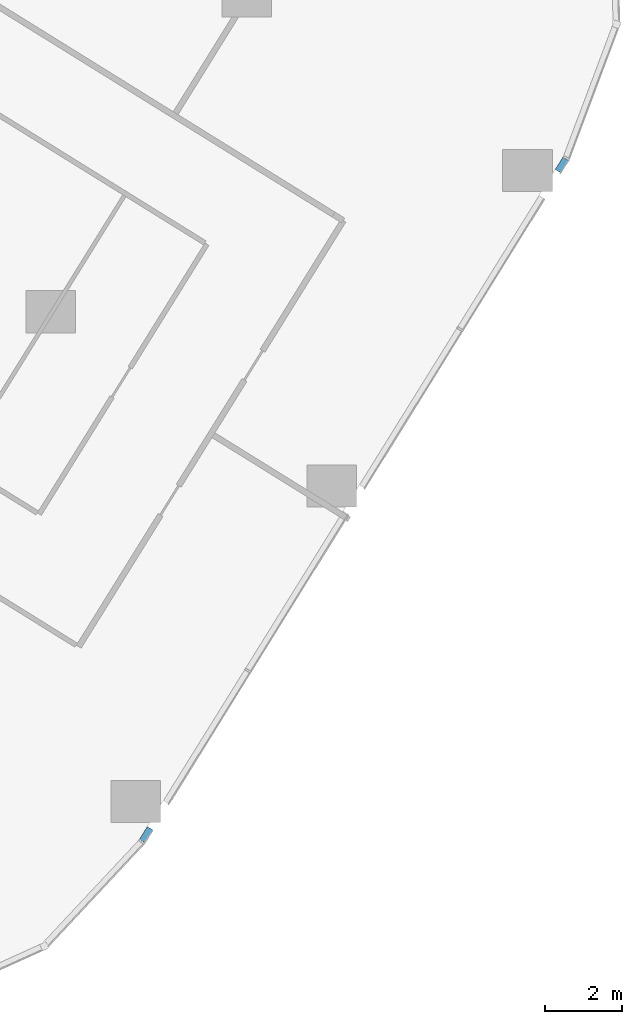
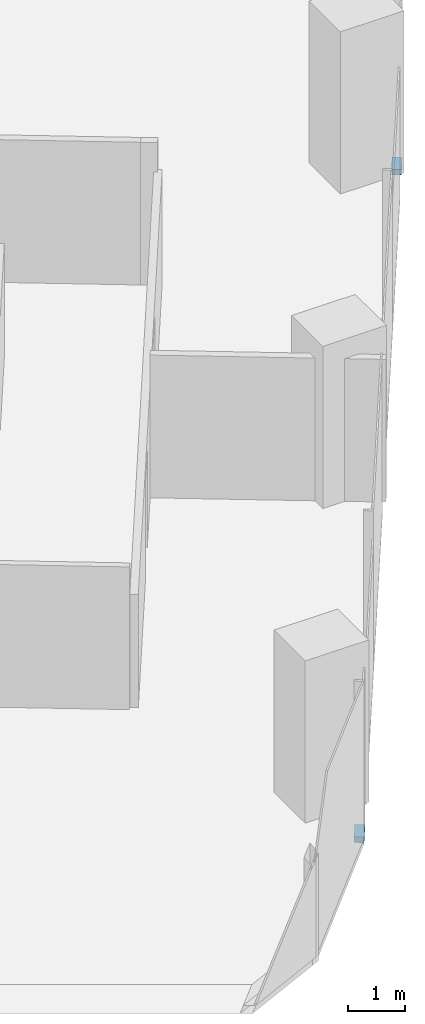
# One storey, part 16 of 33: 2 members, 1 element without a shape of its own.
"""IFC4 building model written with IfcOpenShell, lengths in metres."""

from ifc_helpers import new_model, si_unit, direction, frame, origin, origin_2d, place, context, subcontext, project, spatial, rectangle, extrude, material, material_profile, profile_set, type_object, element, aggregate, save


model = new_model("IFC4")

# Units and contexts
model_context = context("Model", 3, precision=1e-05, world=origin(), true_north=direction((0.0, 1.0)))
body_context = subcontext(model_context, "Body", "Model", "MODEL_VIEW")
ifc_project = project(units=[si_unit("LENGTHUNIT", "METRE"), si_unit("AREAUNIT", "SQUARE_METRE"), si_unit("VOLUMEUNIT", "CUBIC_METRE"), si_unit("PLANEANGLEUNIT", "RADIAN"), si_unit("MASSUNIT", "GRAM", prefix="KILO")], contexts=[model_context])

# Site, building, storey
site_placement = place(None, origin())
site = spatial("IfcSite", under=ifc_project, at=site_placement, CompositionType="ELEMENT")
building_placement = place(site_placement, origin())
building = spatial("IfcBuilding", under=site, at=building_placement, Name="Orlundy Tower", CompositionType="ELEMENT")
storey_placement = place(building_placement, frame((0.0, 0.0, 51.300048828125)))
storey = spatial("IfcBuildingStorey", under=building, at=storey_placement, Name="L11", CompositionType="ELEMENT", Elevation=51.300048828125)

# Curtain wall, members
ifc_material_1 = material(Name="Aluminium bronze anodised", Category="aluminium")
curtain_wall_type = type_object("IfcCurtainWallType", Name="CW1 wall", PredefinedType="NOTDEFINED", material=ifc_material_1)
curtain_wall_placement = place(storey_placement, origin())
curtain_wall = element("IfcCurtainWall", 1, at=curtain_wall_placement, inside=storey, type_object=curtain_wall_type, Name="CW1 run 011", PredefinedType="NOTDEFINED")
ifc_material_2 = material(Name="Aluminium bronze anodised", Category="aluminium")
ifc_material_profile = material_profile(ifc_material_2, rectangle(XDim=0.179931640625, YDim=0.1201171875, at=origin_2d()), Name="CW1 transom 180x120")
ifc_profile_set = profile_set([ifc_material_profile], Name="Aluminium bronze anodised")
member_type = type_object("IfcMemberType", Name="CW1 transom 180x120", PredefinedType="USERDEFINED", material=ifc_profile_set)
member_1_placement = place(storey_placement, frame((56.156982421875, -22.524169921875, -0.360107421875), z_axis=(-0.527507151748, -0.849550589933, 0.0), x_axis=(0.849550589933, -0.527507151748, 0.0)))
member_1 = element("IfcMember", 2, at=member_1_placement, type_object=member_type, Name="CW1 transom", ObjectType="TRANSOM", PredefinedType="USERDEFINED", context=body_context, shape_type="SweptSolid", body=[
    extrude(rectangle(XDim=0.179931640625, YDim=0.1201171875, at=origin_2d()), origin(), (0.0, 0.0, 1.0), 0.379150390625),
])
member_2_placement = place(storey_placement, frame((45.3017578125, -40.008056640625, -0.360107421875), z_axis=(-0.527848266373, -0.849338688443, 0.0), x_axis=(0.849338688443, -0.527848266373, 0.0)))
member_2 = element("IfcMember", 3, at=member_2_placement, type_object=member_type, Name="CW1 transom", ObjectType="TRANSOM", PredefinedType="USERDEFINED", context=body_context, shape_type="SweptSolid", body=[
    extrude(rectangle(XDim=0.179931640625, YDim=0.1201171875, at=origin_2d()), origin(), (0.0, 0.0, 1.0), 0.387939453125),
])
aggregate(curtain_wall, [member_1, member_2])

save(model, "model.ifc")
